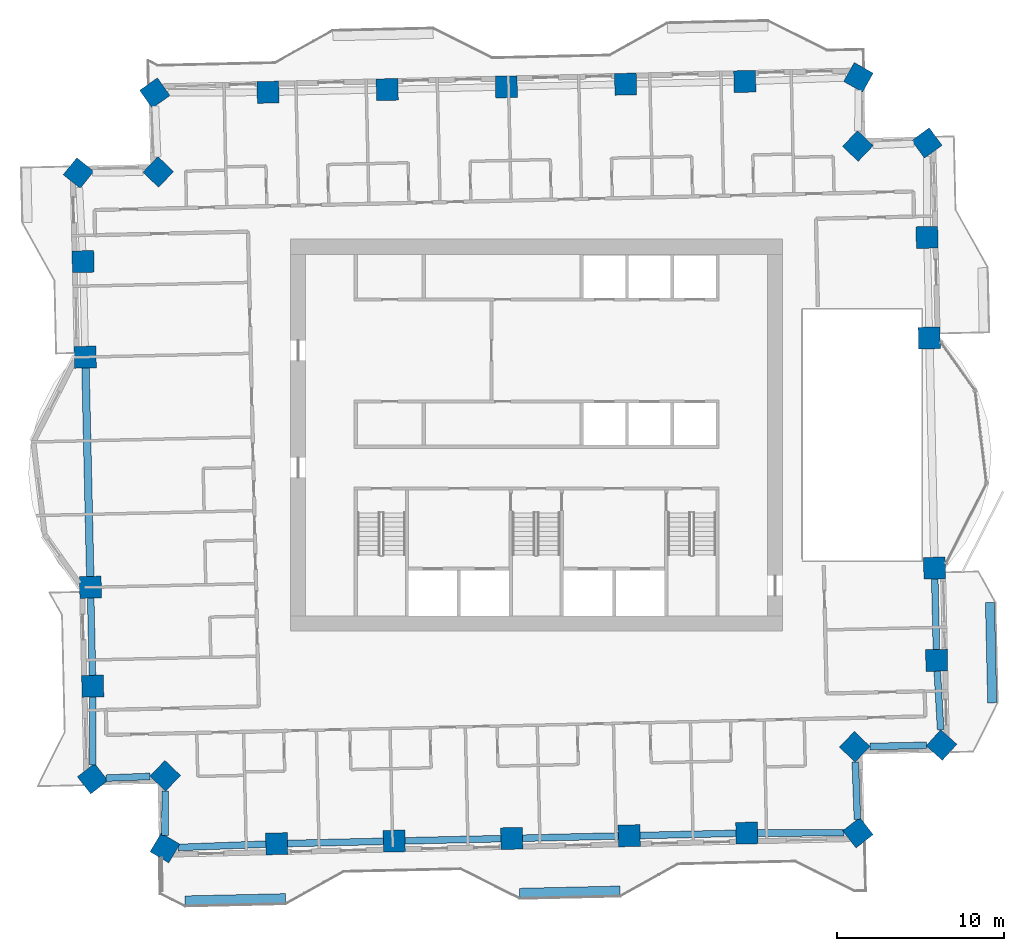
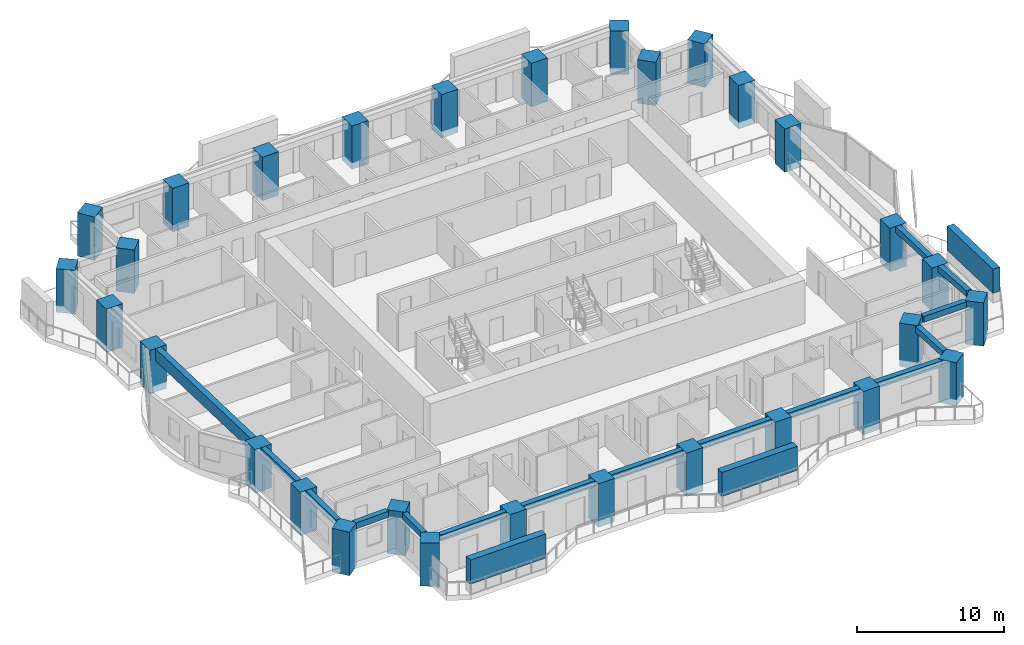
# One storey, part 1 of 16: 30 columns, 15 beams, 3 members.
"""IFC4 building model written with IfcOpenShell, lengths in metres."""

from ifc_helpers import new_model, si_unit, direction, frame, origin, origin_2d, place, context, subcontext, project, spatial, rectangle, extrude, material, material_profile, profile_set, type_object, element, save


model = new_model("IFC4")

# Units and contexts
model_context = context("Model", 3, precision=1e-05, world=origin(), true_north=direction((0.0, 1.0)))
body_context = subcontext(model_context, "Body", "Model", "MODEL_VIEW")
ifc_project = project(units=[si_unit("LENGTHUNIT", "METRE"), si_unit("AREAUNIT", "SQUARE_METRE"), si_unit("VOLUMEUNIT", "CUBIC_METRE"), si_unit("PLANEANGLEUNIT", "RADIAN"), si_unit("MASSUNIT", "GRAM", prefix="KILO")], contexts=[model_context])

# Site, building, storey
site_placement = place(None, origin())
site = spatial("IfcSite", under=ifc_project, at=site_placement, CompositionType="ELEMENT")
building_placement = place(site_placement, origin())
building = spatial("IfcBuilding", under=site, at=building_placement, Name="Mangrove Gate Tower", CompositionType="ELEMENT")
storey_placement = place(building_placement, frame((0.0, 0.0, 144.5)))
storey = spatial("IfcBuildingStorey", under=building, at=storey_placement, Name="L36", CompositionType="ELEMENT", Elevation=144.5)

# Columns
ifc_material_1 = material(Name="Concrete C70/85", Category="concrete")
ifc_material_profile_1 = material_profile(ifc_material_1, rectangle(XDim=1.300048828125, YDim=1.300048828125, at=origin_2d()))
ifc_profile_set_1 = profile_set([ifc_material_profile_1], Name="Concrete C70/85")
column_type = type_object("IfcColumnType", Name="Column RC 1300x1300 C70/85", PredefinedType="COLUMN", material=ifc_profile_set_1)
for number, where, z_axis, x_axis, name in (
    (1, (-26.6591796875, -9.09619140625, -0.550048828125), (0.0, 0.0, 1.0), (0.02268213383, -0.999742727308, 0.0), "Column L36 W05"),
    (2, (-26.525146484375, -15.00634765625, -0.550048828125), (0.0, 0.0, 1.0), (0.022665697055, -0.99974310009, 0.0), "Column L36 W06"),
    (3, (-26.528564453125, -20.5322265625, -0.550048828125), (0.0, 0.0, 1.0), (0.61506722308, -0.788474673717, 0.0), "Column L36 W07"),
    (4, (-22.19287109375, -20.362060546875, -0.550048828125), (0.0, 0.0, 1.0), (0.722994264183, -0.690854032309, 0.0), "Column L36 W08"),
    (5, (-22.20947265625, -24.67236328125, -0.550048828125), (0.0, 0.0, 1.0), (0.859255009234, -0.511547484704, 0.0), "Column L36 S01"),
    (6, (-15.53466796875, -24.422119140625, -0.550048828125), (0.0, 0.0, 1.0), (0.999742129581, 0.022708464065, 0.0), "Column L36 S02"),
    (7, (-8.5126953125, -24.26220703125, -0.550048828125), (0.0, 0.0, 1.0), (0.999742129581, 0.022708464065, 0.0), "Column L36 S03"),
    (8, (-1.49072265625, -24.103271484375, -0.550048828125), (0.0, 0.0, 1.0), (0.999743742918, 0.022637325283, 0.0), "Column L36 S04"),
    (9, (5.53125, -23.944091796875, -0.550048828125), (0.0, 0.0, 1.0), (0.999742166043, 0.022706858776, 0.0), "Column L36 S05"),
    (10, (12.55419921875, -23.7841796875, -0.550048828125), (0.0, 0.0, 1.0), (0.999742166043, 0.022706858776, 0.0), "Column L36 S06"),
    (11, (19.1923828125, -23.761474609375, -0.550048828125), (0.0, 0.0, 1.0), (0.790004884924, 0.613100547868, 0.0), "Column L36 S07"),
    (12, (19.0029296875, -18.626953125, -0.550048828125), (0.0, 0.0, 1.0), (0.690808805786, 0.723037477485, 0.0), "Column L36 E01"),
    (13, (24.188232421875, -18.522705078125, -0.550048828125), (0.0, 0.0, 1.0), (0.6695332885, 0.742782051204, 0.0), "Column L36 E02"),
    (14, (23.896240234375, -13.462646484375, -0.550048828125), (0.0, 0.0, 1.0), (-0.022678138054, 0.999742817956, 0.0), "Column L36 E03"),
    (15, (23.771240234375, -7.95166015625, -0.550048828125), (0.0, 0.0, 1.0), (-0.022684855843, 0.999742665547, 0.0), "Column L36 E04"),
    (16, (23.459228515625, 5.79638671875, -0.550048828125), (0.0, 0.0, 1.0), (-0.022668541211, 0.999743035604, 0.0), "Column L36 E05"),
    (17, (23.3232421875, 11.806396484375, -0.550048828125), (0.0, 0.0, 1.0), (-0.022621272366, 0.999744106277, 0.0), "Column L36 E06"),
    (18, (23.312744140625, 17.44775390625, -0.550048828125), (0.0, 0.0, 1.0), (-0.591062165958, 0.806626007498, 0.0), "Column L36 E07"),
    (19, (19.18896484375, 17.26708984375, -0.550048828125), (0.0, 0.0, 1.0), (-0.723000027728, 0.69084800058, 0.0), "Column L36 E08"),
    (20, (19.224609375, 21.36865234375, -0.550048828125), (0.0, 0.0, 1.0), (-0.872767754736, 0.488135684307, 0.0), "Column L36 N01"),
    (21, (12.434814453125, 21.124267578125, -0.550048828125), (0.0, 0.0, 1.0), (-0.999741400599, -0.022740534932, 0.0), "Column L36 N02"),
    (22, (5.312744140625, 20.962158203125, -0.550048828125), (0.0, 0.0, 1.0), (-0.999742993665, -0.022670390785, 0.0), "Column L36 N03"),
    (23, (-1.809326171875, 20.80126953125, -0.550048828125), (0.0, 0.0, 1.0), (-0.999742993665, -0.022670390785, 0.0), "Column L36 N04"),
    (24, (-8.93115234375, 20.63916015625, -0.550048828125), (0.0, 0.0, 1.0), (-0.999742993665, -0.022670390785, 0.0), "Column L36 N05"),
    (25, (-16.05322265625, 20.478271484375, -0.550048828125), (0.0, 0.0, 1.0), (-0.99974302967, -0.022668802943, 0.0), "Column L36 N06"),
    (26, (-22.815673828125, 20.435302734375, -0.550048828125), (0.0, 0.0, 1.0), (-0.816422336204, -0.577455252766, 0.0), "Column L36 N07"),
    (27, (-22.612060546875, 15.718017578125, -0.550048828125), (0.0, 0.0, 1.0), (-0.690868038859, -0.722980880026, 0.0), "Column L36 W01"),
    (28, (-27.3740234375, 15.6513671875, -0.550048828125), (0.0, 0.0, 1.0), (-0.625756852506, -0.780018180264, 0.0), "Column L36 W02"),
    (29, (-27.10107421875, 10.36181640625, -0.550048828125), (0.0, 0.0, 1.0), (0.022759187673, -0.999740976142, 0.0), "Column L36 W03"),
    (30, (-26.97119140625, 4.65185546875, -0.550048828125), (0.0, 0.0, 1.0), (0.022709737827, -0.999742100648, 0.0), "Column L36 W04"),
):
    element("IfcColumn", number, at=place(storey_placement, frame(where, z_axis=z_axis, x_axis=x_axis)), inside=storey, type_object=column_type, Name=name, PredefinedType="COLUMN", context=body_context, shape_type="SweptSolid", body=[
        extrude(rectangle(XDim=1.300048828125, YDim=1.300048828125, at=origin_2d()), origin(), (0.0, 0.0, 1.0), 3.60009765625),
    ])

# Members
ifc_material_2 = material(Name="Planting on aluminium trellis", Category="aluminium")
ifc_material_profile_2 = material_profile(ifc_material_2, rectangle(XDim=0.550048828125, YDim=2.0, at=origin_2d()))
ifc_profile_set_2 = profile_set([ifc_material_profile_2], Name="Planting on aluminium trellis")
member_type = type_object("IfcMemberType", Name="Balcony greenery screen 550x2000", PredefinedType="USERDEFINED", material=ifc_profile_set_2)
member_placement = place(storey_placement, frame((27.219970703125, -16.0, 1.800048828125), z_axis=(-0.022662255828, 0.999743178102, 0.0), x_axis=(-0.999743178102, -0.022662255828, 0.0)))
element("IfcMember", 31, at=member_placement, inside=storey, type_object=member_type, Name="GREEN SCREEN L36 E0.1", ObjectType="PLANTING", PredefinedType="USERDEFINED", context=body_context, shape_type="SweptSolid", body=[
    extrude(rectangle(XDim=0.550048828125, YDim=2.0, at=origin_2d()), origin(), (0.0, 0.0, 1.0), 6.00048828125),
])
for number, where, z_axis, x_axis, name in (
    (32, (-21.010986328125, -27.81201171875, 1.800048828125), (0.999743094499, 0.022665943652, 0.0), (-0.022665943652, 0.999743094499, 0.0), "GREEN SCREEN L36 S0.1"),
    (33, (-1.01611328125, -27.35791015625, 1.800048828125), (0.999743094499, 0.022665943652, 0.0), (-0.022665943652, 0.999743094499, 0.0), "GREEN SCREEN L36 S1.1"),
):
    element("IfcMember", number, at=place(storey_placement, frame(where, z_axis=z_axis, x_axis=x_axis)), inside=storey, type_object=member_type, Name=name, ObjectType="PLANTING", PredefinedType="USERDEFINED", context=body_context, shape_type="SweptSolid", body=[
        extrude(rectangle(XDim=0.550048828125, YDim=2.0, at=origin_2d()), origin(), (0.0, 0.0, 1.0), 5.99951171875),
    ])

# Beams
ifc_material_3 = material(Name="Concrete C50/60", Category="concrete")
ifc_material_profile_3 = material_profile(ifc_material_3, rectangle(XDim=0.39990234375, YDim=0.5, at=origin_2d()))
ifc_profile_set_3 = profile_set([ifc_material_profile_3], Name="Concrete C50/60")
beam_type_1 = type_object("IfcBeamType", Name="Edge beam RC 400x500 C50/60", PredefinedType="BEAM", material=ifc_profile_set_3)
beam_1_placement = place(storey_placement, frame((-26.64453125, -9.74609375, 2.800048828125), z_axis=(0.022711784645, -0.999742054151, 0.0), x_axis=(0.999742054151, 0.022711784645, 0.0)))
element("IfcBeam", 34, at=beam_1_placement, inside=storey, type_object=beam_type_1, Name="Edge beam L36 00", PredefinedType="BEAM", context=body_context, shape_type="SweptSolid", body=[
    extrude(rectangle(XDim=0.39990234375, YDim=0.5, at=origin_2d()), origin(), (0.0, 0.0, 1.0), 4.611572265625),
])
beam_2_placement = place(storey_placement, frame((-26.525634765625, -15.656494140625, 2.800048828125), z_axis=(-0.000602663664, -0.999999818398, 0.0), x_axis=(0.999999818398, -0.000602663664, 0.0)))
element("IfcBeam", 35, at=beam_2_placement, inside=storey, type_object=beam_type_1, Name="Edge beam L36 01", PredefinedType="BEAM", context=body_context, shape_type="SweptSolid", body=[
    extrude(rectangle(XDim=0.39990234375, YDim=0.5, at=origin_2d()), origin(), (0.0, 0.0, 1.0), 4.051025390625),
])
beam_3_placement = place(storey_placement, frame((-25.728515625, -20.500732421875, 2.800048828125), z_axis=(0.999231025302, 0.039209158043, 0.0), x_axis=(-0.039209158043, 0.999231025302, 0.0)))
element("IfcBeam", 36, at=beam_3_placement, inside=storey, type_object=beam_type_1, Name="Edge beam L36 02", PredefinedType="BEAM", context=body_context, shape_type="SweptSolid", body=[
    extrude(rectangle(XDim=0.39990234375, YDim=0.5, at=origin_2d()), origin(), (0.0, 0.0, 1.0), 2.6337890625),
])
beam_4_placement = place(storey_placement, frame((-22.1962890625, -21.2578125, 2.800048828125), z_axis=(-0.003854950704, -0.99999256965, 0.0), x_axis=(0.99999256965, -0.003854950704, 0.0)))
element("IfcBeam", 37, at=beam_4_placement, inside=storey, type_object=beam_type_1, Name="Edge beam L36 03", PredefinedType="BEAM", context=body_context, shape_type="SweptSolid", body=[
    extrude(rectangle(XDim=0.39990234375, YDim=0.5, at=origin_2d()), origin(), (0.0, 0.0, 1.0), 2.659912109375),
])
beam_5_placement = place(storey_placement, frame((-21.435791015625, -24.6435546875, 2.800048828125), z_axis=(0.999296963169, 0.037491057614, 0.0), x_axis=(-0.037491057614, 0.999296963169, 0.0)))
element("IfcBeam", 38, at=beam_5_placement, inside=storey, type_object=beam_type_1, Name="Edge beam L36 04", PredefinedType="BEAM", context=body_context, shape_type="SweptSolid", body=[
    extrude(rectangle(XDim=0.39990234375, YDim=0.5, at=origin_2d()), origin(), (0.0, 0.0, 1.0), 5.255126953125),
])
for number, where, z_axis, x_axis, name in (
    (39, (-14.885009765625, -24.407470703125, 2.800048828125), (0.999739606731, 0.022819262324, 0.0), (-0.022819262324, 0.999739606731, 0.0), "Edge beam L36 05"),
    (40, (-7.863037109375, -24.24755859375, 2.800048828125), (0.999743484414, 0.022648738864, 0.0), (-0.022648738864, 0.999743484414, 0.0), "Edge beam L36 06"),
):
    element("IfcBeam", number, at=place(storey_placement, frame(where, z_axis=z_axis, x_axis=x_axis)), inside=storey, type_object=beam_type_1, Name=name, PredefinedType="BEAM", context=body_context, shape_type="SweptSolid", body=[
        extrude(rectangle(XDim=0.39990234375, YDim=0.5, at=origin_2d()), origin(), (0.0, 0.0, 1.0), 5.723876953125),
    ])
beam_6_placement = place(storey_placement, frame((-0.8408203125, -24.08837890625, 2.800048828125), z_axis=(0.999744427496, 0.022607071703, 0.0), x_axis=(-0.022607071703, 0.999744427496, 0.0)))
element("IfcBeam", 41, at=beam_6_placement, inside=storey, type_object=beam_type_1, Name="Edge beam L36 07", PredefinedType="BEAM", context=body_context, shape_type="SweptSolid", body=[
    extrude(rectangle(XDim=0.39990234375, YDim=0.5, at=origin_2d()), origin(), (0.0, 0.0, 1.0), 5.7236328125),
])
beam_7_placement = place(storey_placement, frame((6.18115234375, -23.929443359375, 2.800048828125), z_axis=(0.999740645245, 0.022773718307, 0.0), x_axis=(-0.022773718307, 0.999740645245, 0.0)))
element("IfcBeam", 42, at=beam_7_placement, inside=storey, type_object=beam_type_1, Name="Edge beam L36 08", PredefinedType="BEAM", context=body_context, shape_type="SweptSolid", body=[
    extrude(rectangle(XDim=0.39990234375, YDim=0.5, at=origin_2d()), origin(), (0.0, 0.0, 1.0), 5.724609375),
])
beam_8_placement = place(storey_placement, frame((13.204345703125, -23.781982421875, 2.800048828125), z_axis=(0.99999421433, 0.003401662262, 0.0), x_axis=(-0.003401662262, 0.99999421433, 0.0)))
element("IfcBeam", 43, at=beam_8_placement, inside=storey, type_object=beam_type_1, Name="Edge beam L36 09", PredefinedType="BEAM", context=body_context, shape_type="SweptSolid", body=[
    extrude(rectangle(XDim=0.39990234375, YDim=0.5, at=origin_2d()), origin(), (0.0, 0.0, 1.0), 5.16748046875),
])
beam_9_placement = place(storey_placement, frame((19.1630859375, -22.961669921875, 2.800048828125), z_axis=(-0.036930074428, 0.999317852139, 0.0), x_axis=(-0.999317852139, -0.036930074428, 0.0)))
element("IfcBeam", 44, at=beam_9_placement, inside=storey, type_object=beam_type_1, Name="Edge beam L36 10", PredefinedType="BEAM", context=body_context, shape_type="SweptSolid", body=[
    extrude(rectangle(XDim=0.39990234375, YDim=0.5, at=origin_2d()), origin(), (0.0, 0.0, 1.0), 3.43115234375),
])
beam_10_placement = place(storey_placement, frame((19.919677734375, -18.608642578125, 2.800048828125), z_axis=(0.999798119062, 0.020092812629, 0.0), x_axis=(-0.020092812629, 0.999798119062, 0.0)))
element("IfcBeam", 45, at=beam_10_placement, inside=storey, type_object=beam_type_1, Name="Edge beam L36 11", PredefinedType="BEAM", context=body_context, shape_type="SweptSolid", body=[
    extrude(rectangle(XDim=0.39990234375, YDim=0.5, at=origin_2d()), origin(), (0.0, 0.0, 1.0), 3.3779296875),
])
beam_11_placement = place(storey_placement, frame((24.135498046875, -17.6103515625, 2.800048828125), z_axis=(-0.0576192371, 0.998338631686, 0.0), x_axis=(-0.998338631686, -0.0576192371, 0.0)))
element("IfcBeam", 46, at=beam_11_placement, inside=storey, type_object=beam_type_1, Name="Edge beam L36 12", PredefinedType="BEAM", context=body_context, shape_type="SweptSolid", body=[
    extrude(rectangle(XDim=0.39990234375, YDim=0.5, at=origin_2d()), origin(), (0.0, 0.0, 1.0), 3.504150390625),
])
beam_12_placement = place(storey_placement, frame((23.88134765625, -12.81298828125, 2.800048828125), z_axis=(-0.022660846095, 0.999743210057, 0.0), x_axis=(-0.999743210057, -0.022660846095, 0.0)))
element("IfcBeam", 47, at=beam_12_placement, inside=storey, type_object=beam_type_1, Name="Edge beam L36 13", PredefinedType="BEAM", context=body_context, shape_type="SweptSolid", body=[
    extrude(rectangle(XDim=0.39990234375, YDim=0.5, at=origin_2d()), origin(), (0.0, 0.0, 1.0), 4.21240234375),
])
ifc_material_4 = material(Name="Concrete C50/60", Category="concrete")
ifc_material_profile_4 = material_profile(ifc_material_4, rectangle(XDim=0.449951171875, YDim=1.0, at=origin_2d()))
ifc_profile_set_4 = profile_set([ifc_material_profile_4], Name="Concrete C50/60")
beam_type_2 = type_object("IfcBeamType", Name="Edge beam RC 450x1000 C50/60", PredefinedType="BEAM", material=ifc_profile_set_4)
beam_13_placement = place(storey_placement, frame((-26.95654296875, 4.001953125, 2.550048828125), z_axis=(0.022704926143, -0.999742209937, 0.0), x_axis=(0.999742209937, 0.022704926143, 0.0)))
element("IfcBeam", 48, at=beam_13_placement, inside=storey, type_object=beam_type_2, Name="Edge beam L36 29", PredefinedType="BEAM", context=body_context, shape_type="SweptSolid", body=[
    extrude(rectangle(XDim=0.449951171875, YDim=1.0, at=origin_2d()), origin(), (0.0, 0.0, 1.0), 12.45166015625),
])

save(model, "model.ifc")
